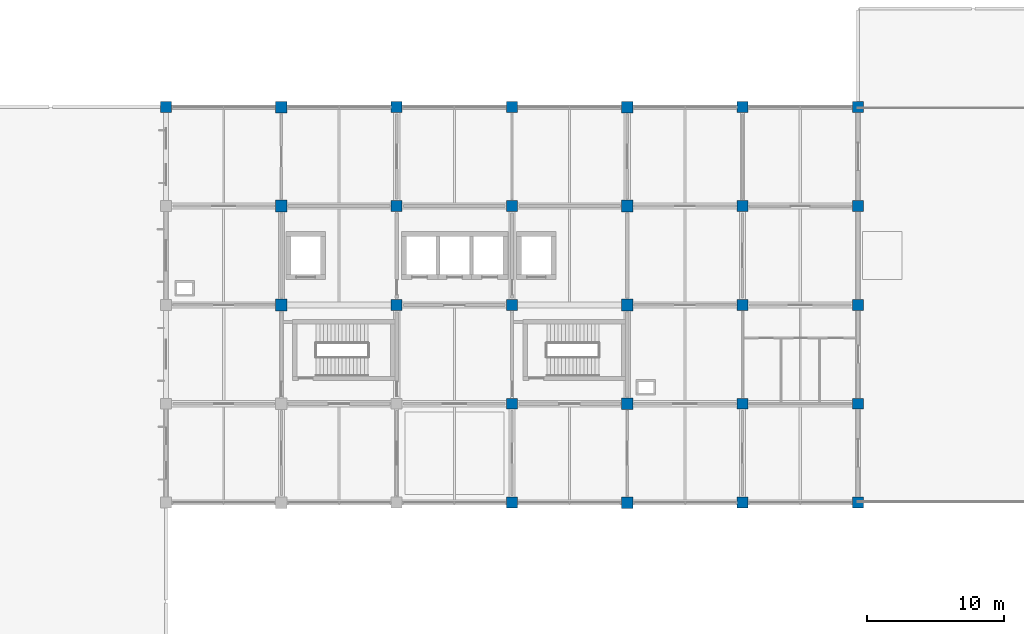
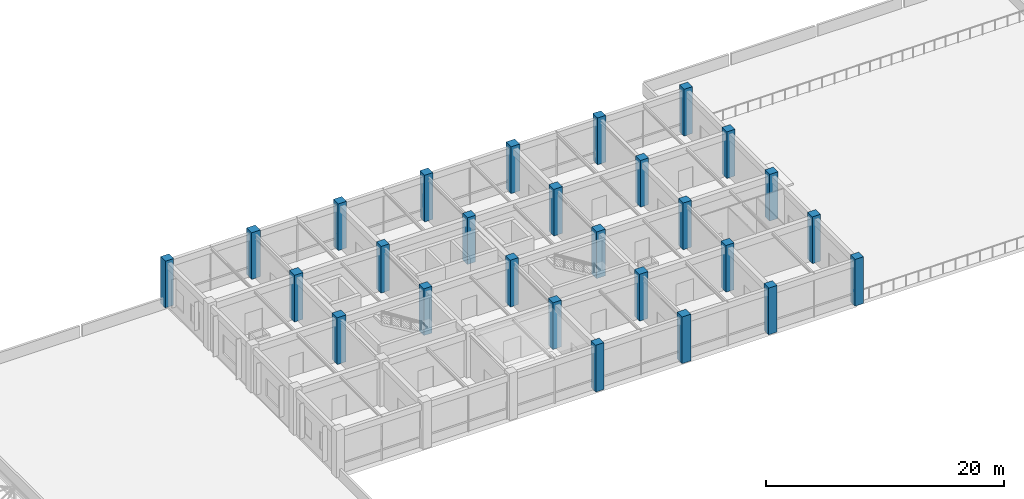
# One storey, part 3 of 45: 27 columns.
"""IFC4 building model written with IfcOpenShell, lengths in metres."""

from ifc_helpers import new_model, si_unit, derived_unit, direction, frame, origin, origin_2d, place, context, subcontext, project, spatial, rectangle, extrude, material, material_profile, profile_set, type_object, element, save


model = new_model("IFC4")

# Units and contexts
model_context = context("Model", 3, precision=1e-05, world=origin(), true_north=direction((0.0, 1.0)))
body_context = subcontext(model_context, "Body", "Model", "MODEL_VIEW")
ifc_project = project(units=[si_unit("LENGTHUNIT", "METRE"), si_unit("AREAUNIT", "SQUARE_METRE"), si_unit("VOLUMEUNIT", "CUBIC_METRE"), si_unit("PLANEANGLEUNIT", "RADIAN"), si_unit("MASSUNIT", "GRAM", prefix="KILO"), derived_unit("THERMALTRANSMITTANCEUNIT", [(si_unit("MASSUNIT", "GRAM", prefix="KILO"), 1), (si_unit("TIMEUNIT", "SECOND"), -3), (si_unit("THERMODYNAMICTEMPERATUREUNIT", "KELVIN"), -1)])], contexts=[model_context])

# Site, building, storey
site_placement = place(None, origin())
site = spatial("IfcSite", under=ifc_project, at=site_placement, CompositionType="ELEMENT")
building_placement = place(site_placement, origin())
building = spatial("IfcBuilding", under=site, at=building_placement, Name="Veldstrom Oceanarium and Marine Research Institute", CompositionType="ELEMENT")
storey_placement = place(building_placement, frame((0.0, 0.0, 22.199951171875)))
storey = spatial("IfcBuildingStorey", under=building, at=storey_placement, Name="L04", CompositionType="ELEMENT", Elevation=22.199951171875)

# Columns
ifc_material_1 = material(Name="Concrete C50/60", Category="concrete")
ifc_material_profile_1 = material_profile(ifc_material_1, rectangle(XDim=0.85009765625, YDim=0.85009765625, at=origin_2d()), Name="RC-COL-850x850")
ifc_profile_set_1 = profile_set([ifc_material_profile_1], Name="Concrete C50/60")
column_type_1 = type_object("IfcColumnType", Name="STR-COL-C03", PredefinedType="COLUMN", material=ifc_profile_set_1)
for number, where, z_axis, x_axis, name in (
    (1, (75.60009765625, 57.60009765625, 0.0), (0.0, 0.0, 1.0), (1.0, 0.0, 0.0), "Column C03 10/J L04"),
    (2, (75.60009765625, 64.800048828125, 0.0), (0.0, 0.0, 1.0), (1.0, 0.0, 0.0), "Column C03 10/K L04"),
    (3, (75.60009765625, 72.0, 0.0), (0.0, 0.0, 1.0), (1.0, 0.0, 0.0), "Column C03 10/L L04"),
    (4, (100.800048828125, 43.199951171875, 0.0), (0.0, 0.0, 1.0), (1.0, 0.0, 0.0), "Column C03 13/G L04"),
    (5, (100.800048828125, 50.39990234375, 0.0), (0.0, 0.0, 1.0), (1.0, 0.0, 0.0), "Column C03 13/H L04"),
    (6, (100.800048828125, 57.60009765625, 0.0), (0.0, 0.0, 1.0), (1.0, 0.0, 0.0), "Column C03 13/J L04"),
    (7, (100.800048828125, 64.800048828125, 0.0), (0.0, 0.0, 1.0), (1.0, 0.0, 0.0), "Column C03 13/K L04"),
    (8, (100.800048828125, 72.0, 0.0), (0.0, 0.0, 1.0), (1.0, 0.0, 0.0), "Column C03 13/L L04"),
):
    element("IfcColumn", number, at=place(storey_placement, frame(where, z_axis=z_axis, x_axis=x_axis)), inside=storey, type_object=column_type_1, Name=name, PredefinedType="COLUMN", context=body_context, shape_type="SweptSolid", body=[
        extrude(rectangle(XDim=0.85009765625, YDim=0.85009765625, at=origin_2d()), origin(), (0.0, 0.0, 1.0), 4.800048828125),
    ])
ifc_material_2 = material(Name="Concrete C50/60", Category="concrete")
ifc_material_profile_2 = material_profile(ifc_material_2, rectangle(XDim=0.800048828125, YDim=0.800048828125, at=origin_2d()), Name="RC-COL-800x800")
ifc_profile_set_2 = profile_set([ifc_material_profile_2], Name="Concrete C50/60")
column_type_2 = type_object("IfcColumnType", Name="STR-COL-C04", PredefinedType="COLUMN", material=ifc_profile_set_2)
for number, where, z_axis, x_axis, name in (
    (9, (67.199951171875, 72.0, 0.0), (0.0, 0.0, 1.0), (1.0, 0.0, 0.0), "Column C04 9/L L04"),
    (10, (84.0, 57.60009765625, 0.0), (0.0, 0.0, 1.0), (1.0, 0.0, 0.0), "Column C04 11/J L04"),
    (11, (84.0, 64.800048828125, 0.0), (0.0, 0.0, 1.0), (1.0, 0.0, 0.0), "Column C04 11/K L04"),
    (12, (84.0, 72.0, 0.0), (0.0, 0.0, 1.0), (1.0, 0.0, 0.0), "Column C04 11/L L04"),
    (13, (92.39990234375, 43.199951171875, 0.0), (0.0, 0.0, 1.0), (1.0, 0.0, 0.0), "Column C04 12/G L04"),
    (14, (92.39990234375, 50.39990234375, 0.0), (0.0, 0.0, 1.0), (1.0, 0.0, 0.0), "Column C04 12/H L04"),
    (15, (92.39990234375, 57.60009765625, 0.0), (0.0, 0.0, 1.0), (1.0, 0.0, 0.0), "Column C04 12/J L04"),
    (16, (92.39990234375, 64.800048828125, 0.0), (0.0, 0.0, 1.0), (1.0, 0.0, 0.0), "Column C04 12/K L04"),
    (17, (92.39990234375, 72.0, 0.0), (0.0, 0.0, 1.0), (1.0, 0.0, 0.0), "Column C04 12/L L04"),
    (18, (109.199951171875, 43.199951171875, 0.0), (0.0, 0.0, 1.0), (1.0, 0.0, 0.0), "Column C04 14/G L04"),
    (19, (109.199951171875, 50.39990234375, 0.0), (0.0, 0.0, 1.0), (1.0, 0.0, 0.0), "Column C04 14/H L04"),
    (20, (109.199951171875, 57.60009765625, 0.0), (0.0, 0.0, 1.0), (1.0, 0.0, 0.0), "Column C04 14/J L04"),
    (21, (109.199951171875, 64.800048828125, 0.0), (0.0, 0.0, 1.0), (1.0, 0.0, 0.0), "Column C04 14/K L04"),
    (22, (109.199951171875, 72.0, 0.0), (0.0, 0.0, 1.0), (1.0, 0.0, 0.0), "Column C04 14/L L04"),
    (23, (117.60009765625, 43.199951171875, 0.0), (0.0, 0.0, 1.0), (1.0, 0.0, 0.0), "Column C04 15/G L04"),
    (24, (117.60009765625, 50.39990234375, 0.0), (0.0, 0.0, 1.0), (1.0, 0.0, 0.0), "Column C04 15/H L04"),
    (25, (117.60009765625, 57.60009765625, 0.0), (0.0, 0.0, 1.0), (1.0, 0.0, 0.0), "Column C04 15/J L04"),
    (26, (117.60009765625, 64.800048828125, 0.0), (0.0, 0.0, 1.0), (1.0, 0.0, 0.0), "Column C04 15/K L04"),
    (27, (117.60009765625, 72.0, 0.0), (0.0, 0.0, 1.0), (1.0, 0.0, 0.0), "Column C04 15/L L04"),
):
    element("IfcColumn", number, at=place(storey_placement, frame(where, z_axis=z_axis, x_axis=x_axis)), inside=storey, type_object=column_type_2, Name=name, PredefinedType="COLUMN", context=body_context, shape_type="SweptSolid", body=[
        extrude(rectangle(XDim=0.800048828125, YDim=0.800048828125, at=origin_2d()), origin(), (0.0, 0.0, 1.0), 4.800048828125),
    ])

save(model, "model.ifc")
